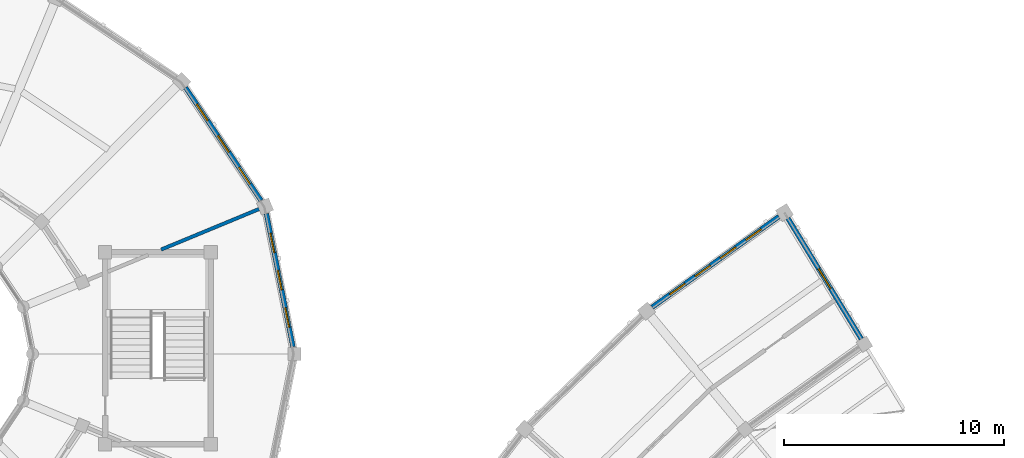
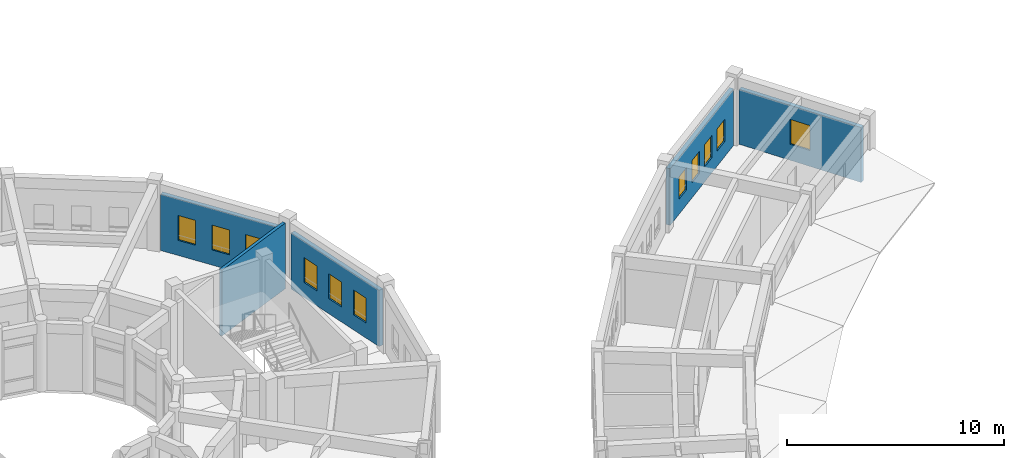
# One storey, part 88 of 112: 11 windows, 5 walls, 11 openings.
"""IFC4 building model written with IfcOpenShell, lengths in metres."""

from ifc_helpers import new_model, si_unit, direction, frame, frame_2d, origin, place, context, subcontext, project, spatial, rectangle, extrude, material, layer, layer_set, type_object, element, fill, save


model = new_model("IFC4")

# Units and contexts
model_context = context("Model", 3, precision=1e-05, world=origin(), true_north=direction((0.0, 1.0)))
body_context = subcontext(model_context, "Body", "Model", "MODEL_VIEW")
ifc_project = project(units=[si_unit("LENGTHUNIT", "METRE"), si_unit("AREAUNIT", "SQUARE_METRE"), si_unit("VOLUMEUNIT", "CUBIC_METRE"), si_unit("PLANEANGLEUNIT", "RADIAN"), si_unit("MASSUNIT", "GRAM", prefix="KILO")], contexts=[model_context])

# Site, building, storey
site_placement = place(None, origin())
site = spatial("IfcSite", under=ifc_project, at=site_placement, CompositionType="ELEMENT")
building_placement = place(site_placement, origin())
building = spatial("IfcBuilding", under=site, at=building_placement, Name="Celadon Cloister-Ring School", CompositionType="ELEMENT")
storey_placement = place(building_placement, frame((0.0, 0.0, 8.5)))
storey = spatial("IfcBuildingStorey", under=building, at=storey_placement, Name="L02", CompositionType="ELEMENT", Elevation=8.5)

# Wall, openings, windows
ifc_material_1 = material(Name="Perforated terracotta clay brick masonry", Category="masonry")
ifc_layer_1 = layer(ifc_material_1, 0.219970703125)
ifc_layer_set_1 = layer_set([ifc_layer_1], Name="Perforated terracotta clay brick masonry")
wall_type_1 = type_object("IfcWallType", Name="WT-EX4", PredefinedType="SOLIDWALL", material=ifc_layer_set_1)
wall_1_placement = place(storey_placement, frame((53.9560546875, 99.1220703125, 0.0), z_axis=(0.0, 0.0, 1.0), x_axis=(0.813425855983, 0.581668614262, 0.0)))
wall_1 = element("IfcWall", 1, at=wall_1_placement, inside=storey, type_object=wall_type_1, Name="Exterior Wall 0102", PredefinedType="SOLIDWALL", context=body_context, shape_type="SweptSolid", body=[
    extrude(rectangle(XDim=7.0810546875, YDim=0.219970703125, at=frame_2d((3.54052734375, 0.0))), origin(), (0.0, 0.0, 1.0), 3.19189453125),
])
opening_1_placement = place(wall_1_placement, frame((0.990966796875, 0.0, 0.85009765625)))
opening_1 = element("IfcOpeningElement", 2, at=opening_1_placement, cuts=wall_1, Name="Opening WN-11", PredefinedType="OPENING", context=body_context, shape_type="SweptSolid", body=[
    extrude(rectangle(XDim=0.85009765625, YDim=1.25, at=frame_2d((0.425048828125, 0.625))), frame((0.0, 0.1201171875, 0.0), z_axis=(0.0, -1.0, 0.0), x_axis=(1.0, 0.0, 0.0)), (0.0, 0.0, 1.0), 0.239990234375),
])
opening_2_placement = place(wall_1_placement, frame((2.406982421875, 0.0, 0.85009765625)))
opening_2 = element("IfcOpeningElement", 3, at=opening_2_placement, cuts=wall_1, Name="Opening WN-11", PredefinedType="OPENING", context=body_context, shape_type="SweptSolid", body=[
    extrude(rectangle(XDim=0.85009765625, YDim=1.25, at=frame_2d((0.425048828125, 0.625))), frame((0.0, 0.1201171875, 0.0), z_axis=(0.0, -1.0, 0.0), x_axis=(1.0, 0.0, 0.0)), (0.0, 0.0, 1.0), 0.239990234375),
])
opening_3_placement = place(wall_1_placement, frame((3.823974609375, 0.0, 0.85009765625)))
opening_3 = element("IfcOpeningElement", 4, at=opening_3_placement, cuts=wall_1, Name="Opening WN-11", PredefinedType="OPENING", context=body_context, shape_type="SweptSolid", body=[
    extrude(rectangle(XDim=0.85009765625, YDim=1.25, at=frame_2d((0.425048828125, 0.625))), frame((0.0, 0.1201171875, 0.0), z_axis=(0.0, -1.0, 0.0), x_axis=(1.0, 0.0, 0.0)), (0.0, 0.0, 1.0), 0.239990234375),
])
opening_4_placement = place(wall_1_placement, frame((5.239990234375, 0.0, 0.85009765625)))
opening_4 = element("IfcOpeningElement", 5, at=opening_4_placement, cuts=wall_1, Name="Opening WN-11", PredefinedType="OPENING", context=body_context, shape_type="SweptSolid", body=[
    extrude(rectangle(XDim=0.85009765625, YDim=1.25, at=frame_2d((0.425048828125, 0.625))), frame((0.0, 0.1201171875, 0.0), z_axis=(0.0, -1.0, 0.0), x_axis=(1.0, 0.0, 0.0)), (0.0, 0.0, 1.0), 0.239990234375),
])
ifc_material_2 = material(Name="Tempered laminated insulating glass", Category="glass")
window_type_1 = type_object("IfcWindowType", Name="WN-11", PartitioningType="SINGLE_PANEL", PredefinedType="WINDOW", material=ifc_material_2)
window_1_placement = place(opening_1_placement, origin())
window_1 = element("IfcWindow", 6, at=window_1_placement, inside=storey, type_object=window_type_1, Name="Window 0274", OverallHeight=1.25, OverallWidth=0.85009765625, PartitioningType="SINGLE_PANEL", PredefinedType="WINDOW", context=body_context, shape_type="SweptSolid", body=[
    extrude(rectangle(XDim=0.85009765625, YDim=1.25, at=frame_2d((0.425048828125, 0.625))), frame((0.0, 0.030029296875, 0.0), z_axis=(0.0, -1.0, 0.0), x_axis=(1.0, 0.0, 0.0)), (0.0, 0.0, 1.0), 0.06005859375),
])
fill(opening_1, window_1)
window_2_placement = place(opening_2_placement, origin())
window_2 = element("IfcWindow", 7, at=window_2_placement, inside=storey, type_object=window_type_1, Name="Window 0275", OverallHeight=1.25, OverallWidth=0.85009765625, PartitioningType="SINGLE_PANEL", PredefinedType="WINDOW", context=body_context, shape_type="SweptSolid", body=[
    extrude(rectangle(XDim=0.85009765625, YDim=1.25, at=frame_2d((0.425048828125, 0.625))), frame((0.0, 0.030029296875, 0.0), z_axis=(0.0, -1.0, 0.0), x_axis=(1.0, 0.0, 0.0)), (0.0, 0.0, 1.0), 0.06005859375),
])
fill(opening_2, window_2)
window_3_placement = place(opening_3_placement, origin())
window_3 = element("IfcWindow", 8, at=window_3_placement, inside=storey, type_object=window_type_1, Name="Window 0276", OverallHeight=1.25, OverallWidth=0.85009765625, PartitioningType="SINGLE_PANEL", PredefinedType="WINDOW", context=body_context, shape_type="SweptSolid", body=[
    extrude(rectangle(XDim=0.85009765625, YDim=1.25, at=frame_2d((0.425048828125, 0.625))), frame((0.0, 0.030029296875, 0.0), z_axis=(0.0, -1.0, 0.0), x_axis=(1.0, 0.0, 0.0)), (0.0, 0.0, 1.0), 0.06005859375),
])
fill(opening_3, window_3)
window_4_placement = place(opening_4_placement, origin())
window_4 = element("IfcWindow", 9, at=window_4_placement, inside=storey, type_object=window_type_1, Name="Window 0277", OverallHeight=1.25, OverallWidth=0.85009765625, PartitioningType="SINGLE_PANEL", PredefinedType="WINDOW", context=body_context, shape_type="SweptSolid", body=[
    extrude(rectangle(XDim=0.85009765625, YDim=1.25, at=frame_2d((0.425048828125, 0.625))), frame((0.0, 0.030029296875, 0.0), z_axis=(0.0, -1.0, 0.0), x_axis=(1.0, 0.0, 0.0)), (0.0, 0.0, 1.0), 0.06005859375),
])
fill(opening_4, window_4)

# Wall, opening, window
wall_2_placement = place(storey_placement, frame((60.1259765625, 103.1640625, 0.0), z_axis=(0.0, 0.0, 1.0), x_axis=(0.519875778263, -0.854241871589, 0.0)))
wall_2 = element("IfcWall", 10, at=wall_2_placement, inside=storey, type_object=wall_type_1, Name="Exterior Wall 0172", PredefinedType="SOLIDWALL", context=body_context, shape_type="SweptSolid", body=[
    extrude(rectangle(XDim=6.421142578125, YDim=0.219970703125, at=frame_2d((3.21044921875, 0.0))), origin(), (0.0, 0.0, 1.0), 3.092041015625),
])
opening_5_placement = place(wall_2_placement, frame((2.68505859375, 0.0, 0.89990234375)))
opening_5 = element("IfcOpeningElement", 11, at=opening_5_placement, cuts=wall_2, Name="Opening WN-22", PredefinedType="OPENING", context=body_context, shape_type="SweptSolid", body=[
    extrude(rectangle(XDim=1.050048828125, YDim=1.39990234375, at=frame_2d((0.52490234375, 0.699951171875))), frame((0.0, 0.1201171875, 0.0), z_axis=(0.0, -1.0, 0.0), x_axis=(1.0, 0.0, 0.0)), (0.0, 0.0, 1.0), 0.239990234375),
])
ifc_material_3 = material(Name="Tempered laminated insulating glass", Category="glass")
window_type_2 = type_object("IfcWindowType", Name="WN-22", PartitioningType="SINGLE_PANEL", PredefinedType="WINDOW", material=ifc_material_3)
window_5_placement = place(opening_5_placement, origin())
window_5 = element("IfcWindow", 12, at=window_5_placement, inside=storey, type_object=window_type_2, Name="Window 0441", OverallHeight=1.39990234375, OverallWidth=1.050048828125, PartitioningType="SINGLE_PANEL", PredefinedType="WINDOW", context=body_context, shape_type="SweptSolid", body=[
    extrude(rectangle(XDim=1.050048828125, YDim=1.39990234375, at=frame_2d((0.52490234375, 0.699951171875))), frame((0.0, 0.030029296875, 0.0), z_axis=(0.0, -1.0, 0.0), x_axis=(1.0, 0.0, 0.0)), (0.0, 0.0, 1.0), 0.06005859375),
])
fill(opening_5, window_5)

# Wall, openings, windows
wall_3_placement = place(storey_placement, frame((36.431884765625, 103.3740234375, 0.0), z_axis=(0.0, 0.0, 1.0), x_axis=(0.195164813773, -0.980770460131, 0.0)))
wall_3 = element("IfcWall", 13, at=wall_3_placement, inside=storey, type_object=wall_type_1, Name="Exterior Wall 0251", PredefinedType="SOLIDWALL", context=body_context, shape_type="SweptSolid", body=[
    extrude(rectangle(XDim=6.169677734375, YDim=0.219970703125, at=frame_2d((3.0849609375, 0.0))), origin(), (0.0, 0.0, 1.0), 3.172119140625),
])
opening_6_placement = place(wall_3_placement, frame((0.906982421875, 0.0, 0.85009765625)))
opening_6 = element("IfcOpeningElement", 14, at=opening_6_placement, cuts=wall_3, Name="Opening WN-21", PredefinedType="OPENING", context=body_context, shape_type="SweptSolid", body=[
    extrude(rectangle(XDim=0.89990234375, YDim=1.39990234375, at=frame_2d((0.449951171875, 0.699951171875))), frame((0.0, 0.1201171875, 0.0), z_axis=(0.0, -1.0, 0.0), x_axis=(1.0, 0.0, 0.0)), (0.0, 0.0, 1.0), 0.239990234375),
])
opening_7_placement = place(wall_3_placement, frame((2.635009765625, 0.0, 0.85009765625)))
opening_7 = element("IfcOpeningElement", 15, at=opening_7_placement, cuts=wall_3, Name="Opening WN-21", PredefinedType="OPENING", context=body_context, shape_type="SweptSolid", body=[
    extrude(rectangle(XDim=0.89990234375, YDim=1.39990234375, at=frame_2d((0.449951171875, 0.699951171875))), frame((0.0, 0.1201171875, 0.0), z_axis=(0.0, -1.0, 0.0), x_axis=(1.0, 0.0, 0.0)), (0.0, 0.0, 1.0), 0.239990234375),
])
opening_8_placement = place(wall_3_placement, frame((4.362060546875, 0.0, 0.85009765625)))
opening_8 = element("IfcOpeningElement", 16, at=opening_8_placement, cuts=wall_3, Name="Opening WN-21", PredefinedType="OPENING", context=body_context, shape_type="SweptSolid", body=[
    extrude(rectangle(XDim=0.89990234375, YDim=1.39990234375, at=frame_2d((0.449951171875, 0.699951171875))), frame((0.0, 0.1201171875, 0.0), z_axis=(0.0, -1.0, 0.0), x_axis=(1.0, 0.0, 0.0)), (0.0, 0.0, 1.0), 0.239990234375),
])
ifc_material_4 = material(Name="Tempered laminated insulating glass", Category="glass")
window_type_3 = type_object("IfcWindowType", Name="WN-21", PartitioningType="SINGLE_PANEL", PredefinedType="WINDOW", material=ifc_material_4)
window_6_placement = place(opening_6_placement, origin())
window_6 = element("IfcWindow", 17, at=window_6_placement, inside=storey, type_object=window_type_3, Name="Window 0667", OverallHeight=1.39990234375, OverallWidth=0.89990234375, PartitioningType="SINGLE_PANEL", PredefinedType="WINDOW", context=body_context, shape_type="SweptSolid", body=[
    extrude(rectangle(XDim=0.89990234375, YDim=1.39990234375, at=frame_2d((0.449951171875, 0.699951171875))), frame((0.0, 0.030029296875, 0.0), z_axis=(0.0, -1.0, 0.0), x_axis=(1.0, 0.0, 0.0)), (0.0, 0.0, 1.0), 0.06005859375),
])
fill(opening_6, window_6)
window_7_placement = place(opening_7_placement, origin())
window_7 = element("IfcWindow", 18, at=window_7_placement, inside=storey, type_object=window_type_3, Name="Window 0668", OverallHeight=1.39990234375, OverallWidth=0.89990234375, PartitioningType="SINGLE_PANEL", PredefinedType="WINDOW", context=body_context, shape_type="SweptSolid", body=[
    extrude(rectangle(XDim=0.89990234375, YDim=1.39990234375, at=frame_2d((0.449951171875, 0.699951171875))), frame((0.0, 0.030029296875, 0.0), z_axis=(0.0, -1.0, 0.0), x_axis=(1.0, 0.0, 0.0)), (0.0, 0.0, 1.0), 0.06005859375),
])
fill(opening_7, window_7)
window_8_placement = place(opening_8_placement, origin())
window_8 = element("IfcWindow", 19, at=window_8_placement, inside=storey, type_object=window_type_3, Name="Window 0669", OverallHeight=1.39990234375, OverallWidth=0.89990234375, PartitioningType="SINGLE_PANEL", PredefinedType="WINDOW", context=body_context, shape_type="SweptSolid", body=[
    extrude(rectangle(XDim=0.89990234375, YDim=1.39990234375, at=frame_2d((0.449951171875, 0.699951171875))), frame((0.0, 0.030029296875, 0.0), z_axis=(0.0, -1.0, 0.0), x_axis=(1.0, 0.0, 0.0)), (0.0, 0.0, 1.0), 0.06005859375),
])
fill(opening_8, window_8)

wall_4_placement = place(storey_placement, frame((32.757080078125, 109.10009765625, 0.0), z_axis=(0.0, 0.0, 1.0), x_axis=(0.555658736667, -0.831410469242, 0.0)))
wall_4 = element("IfcWall", 20, at=wall_4_placement, inside=storey, type_object=wall_type_1, Name="Exterior Wall 0252", PredefinedType="SOLIDWALL", context=body_context, shape_type="SweptSolid", body=[
    extrude(rectangle(XDim=6.169189453125, YDim=0.219970703125, at=frame_2d((3.08447265625, 0.0))), origin(), (0.0, 0.0, 1.0), 3.172119140625),
])
opening_9_placement = place(wall_4_placement, frame((0.906982421875, 0.0, 0.85009765625)))
opening_9 = element("IfcOpeningElement", 21, at=opening_9_placement, cuts=wall_4, Name="Opening WN-21", PredefinedType="OPENING", context=body_context, shape_type="SweptSolid", body=[
    extrude(rectangle(XDim=0.89990234375, YDim=1.39990234375, at=frame_2d((0.449951171875, 0.699951171875))), frame((0.0, 0.1201171875, 0.0), z_axis=(0.0, -1.0, 0.0), x_axis=(1.0, 0.0, 0.0)), (0.0, 0.0, 1.0), 0.239990234375),
])
opening_10_placement = place(wall_4_placement, frame((2.635009765625, 0.0, 0.85009765625)))
opening_10 = element("IfcOpeningElement", 22, at=opening_10_placement, cuts=wall_4, Name="Opening WN-21", PredefinedType="OPENING", context=body_context, shape_type="SweptSolid", body=[
    extrude(rectangle(XDim=0.89990234375, YDim=1.39990234375, at=frame_2d((0.449951171875, 0.699951171875))), frame((0.0, 0.1201171875, 0.0), z_axis=(0.0, -1.0, 0.0), x_axis=(1.0, 0.0, 0.0)), (0.0, 0.0, 1.0), 0.239990234375),
])
opening_11_placement = place(wall_4_placement, frame((4.362060546875, 0.0, 0.85009765625)))
opening_11 = element("IfcOpeningElement", 23, at=opening_11_placement, cuts=wall_4, Name="Opening WN-21", PredefinedType="OPENING", context=body_context, shape_type="SweptSolid", body=[
    extrude(rectangle(XDim=0.89990234375, YDim=1.39990234375, at=frame_2d((0.449951171875, 0.699951171875))), frame((0.0, 0.1201171875, 0.0), z_axis=(0.0, -1.0, 0.0), x_axis=(1.0, 0.0, 0.0)), (0.0, 0.0, 1.0), 0.239990234375),
])
window_9_placement = place(opening_9_placement, origin())
window_9 = element("IfcWindow", 24, at=window_9_placement, inside=storey, type_object=window_type_3, Name="Window 0670", OverallHeight=1.39990234375, OverallWidth=0.89990234375, PartitioningType="SINGLE_PANEL", PredefinedType="WINDOW", context=body_context, shape_type="SweptSolid", body=[
    extrude(rectangle(XDim=0.89990234375, YDim=1.39990234375, at=frame_2d((0.449951171875, 0.699951171875))), frame((0.0, 0.030029296875, 0.0), z_axis=(0.0, -1.0, 0.0), x_axis=(1.0, 0.0, 0.0)), (0.0, 0.0, 1.0), 0.06005859375),
])
fill(opening_9, window_9)
window_10_placement = place(opening_10_placement, origin())
window_10 = element("IfcWindow", 25, at=window_10_placement, inside=storey, type_object=window_type_3, Name="Window 0671", OverallHeight=1.39990234375, OverallWidth=0.89990234375, PartitioningType="SINGLE_PANEL", PredefinedType="WINDOW", context=body_context, shape_type="SweptSolid", body=[
    extrude(rectangle(XDim=0.89990234375, YDim=1.39990234375, at=frame_2d((0.449951171875, 0.699951171875))), frame((0.0, 0.030029296875, 0.0), z_axis=(0.0, -1.0, 0.0), x_axis=(1.0, 0.0, 0.0)), (0.0, 0.0, 1.0), 0.06005859375),
])
fill(opening_10, window_10)
window_11_placement = place(opening_11_placement, origin())
window_11 = element("IfcWindow", 26, at=window_11_placement, inside=storey, type_object=window_type_3, Name="Window 0672", OverallHeight=1.39990234375, OverallWidth=0.89990234375, PartitioningType="SINGLE_PANEL", PredefinedType="WINDOW", context=body_context, shape_type="SweptSolid", body=[
    extrude(rectangle(XDim=0.89990234375, YDim=1.39990234375, at=frame_2d((0.449951171875, 0.699951171875))), frame((0.0, 0.030029296875, 0.0), z_axis=(0.0, -1.0, 0.0), x_axis=(1.0, 0.0, 0.0)), (0.0, 0.0, 1.0), 0.06005859375),
])
fill(opening_11, window_11)

# Wall
ifc_material_5 = material(Name="Plastered hollow concrete masonry", Category="masonry")
ifc_layer_2 = layer(ifc_material_5, 0.159912109375)
ifc_layer_set_2 = layer_set([ifc_layer_2], Name="Plastered hollow concrete masonry")
wall_type_2 = type_object("IfcWallType", Name="WT-PT3", PredefinedType="PARTITIONING", material=ifc_layer_set_2)
wall_5_placement = place(storey_placement, frame((31.65087890625, 101.742919921875, 0.0), z_axis=(0.0, 0.0, 1.0), x_axis=(0.923877739946, 0.382687759972, 0.0)))
element("IfcWall", 27, at=wall_5_placement, inside=storey, type_object=wall_type_2, Name="Interior Wall 0701", PredefinedType="PARTITIONING", context=body_context, shape_type="SweptSolid", body=[
    extrude(rectangle(XDim=4.8134765625, YDim=0.159912109375, at=frame_2d((2.40673828125, 0.0))), origin(), (0.0, 0.0, 1.0), 3.699951171875),
])

save(model, "model.ifc")
